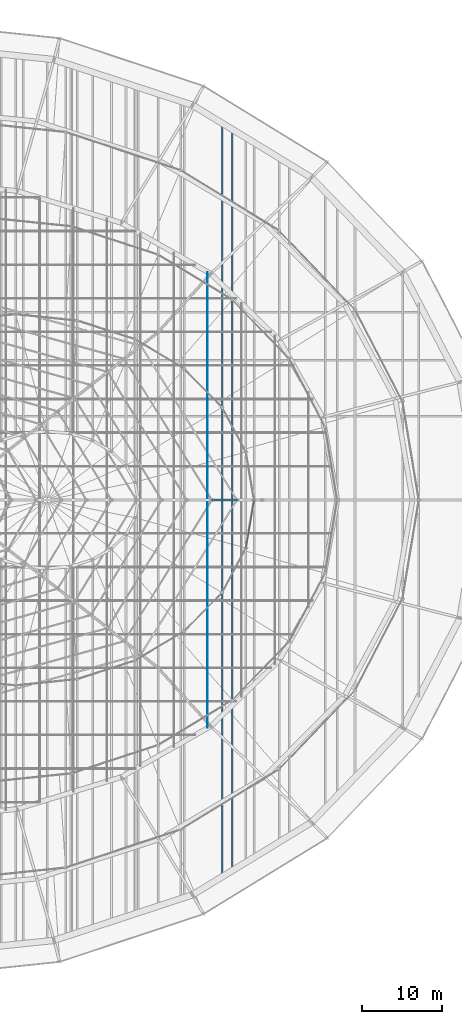
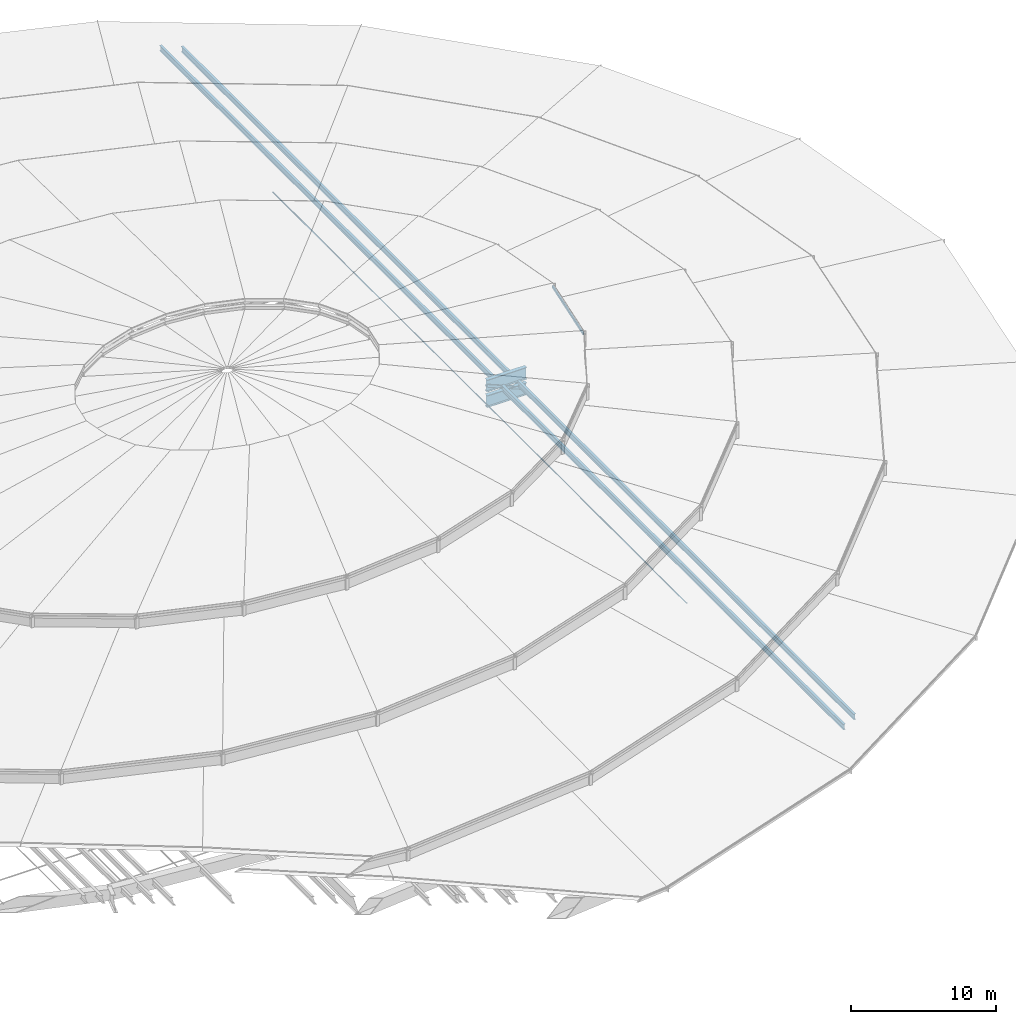
# One storey, part 90 of 184: 5 members, 2 beams.
"""IFC4 building model written with IfcOpenShell, lengths in metres."""

from ifc_helpers import new_model, si_unit, direction, frame, origin, origin_2d, place, context, subcontext, project, spatial, hollow_rectangle, circle, i_section, extrude, material, material_profile, profile_set, type_object, element, save


model = new_model("IFC4")

# Units and contexts
model_context = context("Model", 3, precision=1e-05, world=origin(), true_north=direction((0.0, 1.0)))
body_context = subcontext(model_context, "Body", "Model", "MODEL_VIEW")
ifc_project = project(units=[si_unit("LENGTHUNIT", "METRE"), si_unit("AREAUNIT", "SQUARE_METRE"), si_unit("VOLUMEUNIT", "CUBIC_METRE"), si_unit("PLANEANGLEUNIT", "RADIAN"), si_unit("MASSUNIT", "GRAM", prefix="KILO")], contexts=[model_context])

# Site, building, storey
site_placement = place(None, origin())
site = spatial("IfcSite", under=ifc_project, at=site_placement, CompositionType="ELEMENT")
building_placement = place(site_placement, origin())
building = spatial("IfcBuilding", under=site, at=building_placement, Name="Kalgoora Escarpment Arena", CompositionType="ELEMENT")
storey_placement = place(building_placement, frame((0.0, 0.0, 27.60009765625)))
storey = spatial("IfcBuildingStorey", under=building, at=storey_placement, Name="Roof Level", CompositionType="ELEMENT", Elevation=27.60009765625)

# Beams
ifc_material_1 = material(Name="Structural steel Grade 350 (350 MPa)", Category="steel")
ifc_material_profile_1 = material_profile(ifc_material_1, i_section(OverallWidth=0.300048828125, OverallDepth=1.010009765625, WebThickness=0.01611328125, FlangeThickness=0.030029296875, at=origin_2d()))
ifc_profile_set_1 = profile_set([ifc_material_profile_1], Name="Structural steel Grade 350 (350 MPa)")
beam_type = type_object("IfcBeamType", Name="BM-TRUSS-CHORD", PredefinedType="USERDEFINED", material=ifc_profile_set_1)
for number, where, z_axis, x_axis, name in (
    (1, (133.8720703125, 64.0, -1.64501953125), (-0.999998809254, 0.0, 0.001543208039), (0.0, -1.0, 0.0), "Radial ROOF TRUSS spine 1 bottom chord 3"),
    (2, (133.8720703125, 64.0, -0.340087890625), (-0.999994995918, 0.0, 0.003163564416), (0.0, -1.0, 0.0), "Radial ROOF TRUSS spine 1 top chord 3"),
):
    element("IfcBeam", number, at=place(storey_placement, frame(where, z_axis=z_axis, x_axis=x_axis)), inside=storey, type_object=beam_type, Name=name, ObjectType="GIRDER", PredefinedType="USERDEFINED", context=body_context, shape_type="SweptSolid", body=[
        extrude(i_section(OverallWidth=0.300048828125, OverallDepth=1.010009765625, WebThickness=0.01611328125, FlangeThickness=0.030029296875, at=origin_2d()), origin(), (0.0, 0.0, 1.0), 3.1640625),
    ])

# Members
ifc_material_2 = material(Name="High-tensile spiral strand steel Grade 450 (350 MPa)", Category="steel")
ifc_material_profile_2 = material_profile(ifc_material_2, circle(Radius=0.028076171875, at=origin_2d()))
ifc_profile_set_2 = profile_set([ifc_material_profile_2], Name="High-tensile spiral strand steel Grade 450 (350 MPa)")
member_type_1 = type_object("IfcMemberType", Name="MEM-CABLE-56", PredefinedType="USERDEFINED", material=ifc_profile_set_2)
member_1_placement = place(storey_placement, frame((130.199951171875, 35.49755859375, -1.190185546875), z_axis=(0.0, 1.0, 0.0), x_axis=(-1.0, 0.0, 0.0)))
element("IfcMember", 3, at=member_1_placement, inside=storey, type_object=member_type_1, Name="Roof saddle pretensioning cable Y-39", ObjectType="CABLE", PredefinedType="USERDEFINED", context=body_context, shape_type="SweptSolid", body=[
    extrude(circle(Radius=0.028076171875, at=origin_2d()), origin(), (0.0, 0.0, 1.0), 57.0048828125),
])
ifc_material_3 = material(Name="Structural steel AS/NZS 3679 (300 MPa)", Category="steel")
ifc_material_profile_3 = material_profile(ifc_material_3, i_section(OverallWidth=0.19091796875, OverallDepth=0.4599609375, WebThickness=0.010009765625, FlangeThickness=0.01611328125, at=origin_2d()))
ifc_profile_set_3 = profile_set([ifc_material_profile_3], Name="Structural steel AS/NZS 3679 (300 MPa)")
member_type_2 = type_object("IfcMemberType", Name="MEM-CARRIER-CHORD", PredefinedType="CHORD", material=ifc_profile_set_3)
member_2_placement = place(storey_placement, frame((133.2783203125, 17.669189453125, -1.02001953125), z_axis=(0.0, 1.0, 0.0), x_axis=(-1.0, 0.0, 0.0)))
element("IfcMember", 4, at=member_2_placement, inside=storey, type_object=member_type_2, Name="Petal RP3 spanning carrier chord C04", PredefinedType="CHORD", context=body_context, shape_type="SweptSolid", body=[
    extrude(i_section(OverallWidth=0.19091796875, OverallDepth=0.4599609375, WebThickness=0.010009765625, FlangeThickness=0.01611328125, at=origin_2d()), origin(), (0.0, 0.0, 1.0), 92.66162109375),
])
member_3_placement = place(storey_placement, frame((132.007568359375, 16.89501953125, -0.960205078125), z_axis=(0.0, 1.0, 0.0), x_axis=(-1.0, 0.0, 0.0)))
element("IfcMember", 5, at=member_3_placement, inside=storey, type_object=member_type_2, Name="Petal RP4 spanning carrier chord C03", PredefinedType="CHORD", context=body_context, shape_type="SweptSolid", body=[
    extrude(i_section(OverallWidth=0.19091796875, OverallDepth=0.4599609375, WebThickness=0.010009765625, FlangeThickness=0.01611328125, at=origin_2d()), origin(), (0.0, 0.0, 1.0), 94.2099609375),
])
ifc_material_4 = material(Name="Structural steel C350 (350 MPa)", Category="steel")
ifc_material_profile_4 = material_profile(ifc_material_4, hollow_rectangle(XDim=0.10009765625, YDim=0.199951171875, WallThickness=0.009033203125, at=origin_2d()))
ifc_profile_set_4 = profile_set([ifc_material_profile_4], Name="Structural steel C350 (350 MPa)")
member_type_3 = type_object("IfcMemberType", Name="MEM-PURLIN-RHS", PredefinedType="PURLIN", material=ifc_profile_set_4)
member_4_placement = place(storey_placement, frame((134.984619140625, 57.995361328125, 6.125), z_axis=(0.166732388344, 0.986002185939, 0.0), x_axis=(-0.986002185939, 0.166732388344, 0.0)))
element("IfcMember", 6, at=member_4_placement, inside=storey, type_object=member_type_3, Name="Petal RP4 eave support ring purlin S24", PredefinedType="PURLIN", context=body_context, shape_type="SweptSolid", body=[
    extrude(hollow_rectangle(XDim=0.10009765625, YDim=0.199951171875, WallThickness=0.009033203125, at=origin_2d()), origin(), (0.0, 0.0, 1.0), 6.08984375),
])
ifc_material_5 = material(Name="Structural steel C350 (350 MPa)", Category="steel")
ifc_material_profile_5 = material_profile(ifc_material_5, hollow_rectangle(XDim=0.199951171875, YDim=0.199951171875, WallThickness=0.009033203125, at=origin_2d()))
ifc_profile_set_5 = profile_set([ifc_material_profile_5], Name="Structural steel C350 (350 MPa)")
member_type_4 = type_object("IfcMemberType", Name="MEM-TRUSS-DIAG", PredefinedType="BRACE", material=ifc_profile_set_5)
member_5_placement = place(storey_placement, frame((133.860107421875, 64.0, -1.64501953125), z_axis=(-0.922392269206, 0.0, 0.386254452025), x_axis=(0.0, 1.0, 0.0)))
element("IfcMember", 7, at=member_5_placement, inside=storey, type_object=member_type_4, Name="Radial ROOF TRUSS spine 1 web diagonal 3", PredefinedType="BRACE", context=body_context, shape_type="SweptSolid", body=[
    extrude(hollow_rectangle(XDim=0.199951171875, YDim=0.199951171875, WallThickness=0.009033203125, at=origin_2d()), origin(), (0.0, 0.0, 1.0), 3.404296875),
])

save(model, "model.ifc")
